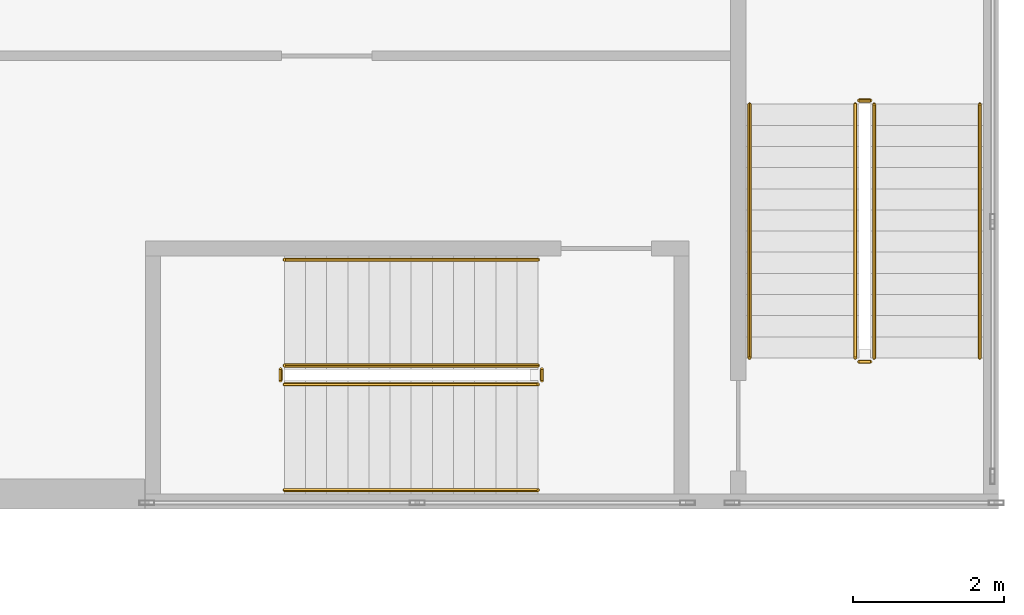
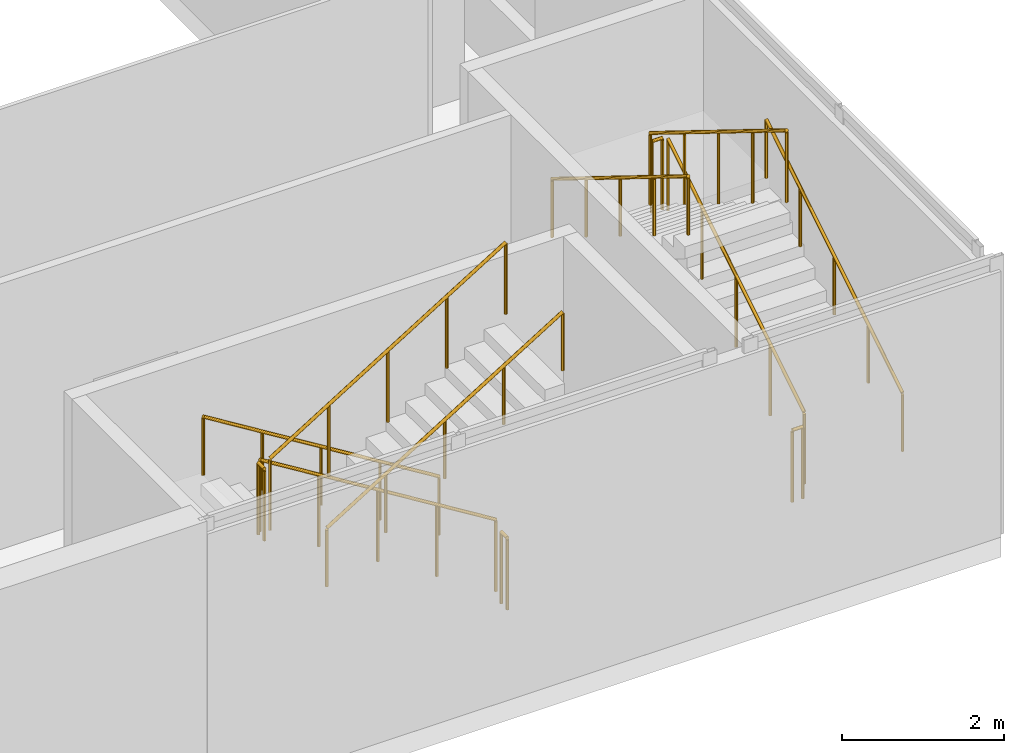
# One storey, part 20 of 21: 12 railings.
"""IFC4 building model written with IfcOpenShell, lengths in metres."""

import ifcopenshell
import ifcopenshell.guid

model = None  # the IFC model being written
_history = None  # IfcOwnerHistory: only IFC2X3 demands one
_inside = {}  # id of a spatial element -> (the spatial element, [elements in it])
_under = {}  # id of a project, library or spatial element -> (it, [spatial elements below it])
_declared = {}  # id of a project -> (the project, [libraries it declares])
_typed = {}  # id of a type object -> (the type object, [elements of that type])
_made_of = {}  # id of a material, layer set ... -> (it, [elements and type objects made of it])


def new_model(schema):
    """Start an empty IFC model of exactly this schema.

    Asked for "IFC4X3", IfcOpenShell would pick the latest addendum, in which some entities
    have other attributes; the version numbers below select the first issue.
    IFC2X3 requires an IfcOwnerHistory on every rooted entity: one is made here for all.
    """
    global model, _history
    if schema == "IFC4X3":
        model = ifcopenshell.file(schema_version=(4, 3, 0, 0))
    else:
        model = ifcopenshell.file(schema=schema)
    _inside.clear()
    _under.clear()
    _declared.clear()
    _typed.clear()
    _made_of.clear()
    _history = None
    if model.schema == "IFC2X3":
        org = make("IfcOrganization", Name="unknown")
        user = make(
            "IfcPersonAndOrganization",
            ThePerson=make("IfcPerson", FamilyName="unknown"),
            TheOrganization=org,
        )
        app = make(
            "IfcApplication",
            ApplicationDeveloper=org,
            Version="unknown",
            ApplicationFullName="unknown",
            ApplicationIdentifier="unknown",
        )
        _history = make(
            "IfcOwnerHistory",
            OwningUser=user,
            OwningApplication=app,
            ChangeAction="ADDED",
            CreationDate=0,
        )
    return model


def make(cls, **values):
    """One entity of the class cls with the attributes given. An attribute that is None is left unset."""
    return model.create_entity(
        cls, **{name: value for name, value in values.items() if value is not None}
    )


def rooted(cls, **values):
    """An entity with a GlobalId (a new one), such as an element, a storey or a relation."""
    return make(cls, GlobalId=ifcopenshell.guid.new(), OwnerHistory=_history, **values)


def si_unit(unit_type, name, prefix=None):
    """IfcSIUnit, for example si_unit("LENGTHUNIT", "METRE", prefix="MILLI")."""
    return make("IfcSIUnit", UnitType=unit_type, Prefix=prefix, Name=name)


def assignment(units):
    """IfcUnitAssignment: the units of a project."""
    return None if units is None else make("IfcUnitAssignment", Units=units)


def point(xyz):
    """IfcCartesianPoint."""
    return None if xyz is None else make("IfcCartesianPoint", Coordinates=xyz)


def direction(xyz):
    """IfcDirection."""
    return None if xyz is None else make("IfcDirection", DirectionRatios=xyz)


def frame(location, z_axis=None, x_axis=None):
    """IfcAxis2Placement3D, a coordinate frame: its origin and axes. An axis left out is left unset."""
    return make(
        "IfcAxis2Placement3D",
        Location=point(location),
        Axis=direction(z_axis),
        RefDirection=direction(x_axis),
    )


def frame_2d(location, x_axis=None):
    """IfcAxis2Placement2D, a coordinate frame in the plane: its origin and x axis."""
    return make(
        "IfcAxis2Placement2D", Location=point(location), RefDirection=direction(x_axis)
    )


def origin():
    """The frame at (0, 0, 0) with its axes left unset."""
    return frame((0.0, 0.0, 0.0))


def origin_2d():
    """The frame at (0, 0) in the plane with its x axis left unset."""
    return frame_2d((0.0, 0.0))


def place(relative_to, where):
    """IfcLocalPlacement: puts the frame where relative to a parent placement (None: the world)."""
    return make(
        "IfcLocalPlacement", PlacementRelTo=relative_to, RelativePlacement=where
    )


def context(
    kind, dimensions, precision=None, world=None, true_north=None, identifier=None
):
    """IfcGeometricRepresentationContext, for example the 3D "Model" context."""
    return make(
        "IfcGeometricRepresentationContext",
        ContextIdentifier=identifier,
        ContextType=kind,
        CoordinateSpaceDimension=dimensions,
        Precision=precision,
        WorldCoordinateSystem=world,
        TrueNorth=true_north,
    )


def subcontext(parent, identifier, kind, view, scale=None):
    """IfcGeometricRepresentationSubContext, for example "Body" below "Model"."""
    return make(
        "IfcGeometricRepresentationSubContext",
        ContextIdentifier=identifier,
        ContextType=kind,
        ParentContext=parent,
        TargetScale=scale,
        TargetView=view,
    )


def project(units=None, contexts=None):
    """IfcProject with its units and contexts."""
    return rooted(
        "IfcProject",
        Name="project",
        RepresentationContexts=contexts,
        UnitsInContext=assignment(units),
    )


def spatial(cls, under=None, at=None, **own):
    """A site, building, storey or space (cls), placed at a placement, below another one or the project."""
    s = rooted(cls, ObjectPlacement=at, **own)
    if under is not None:
        _under.setdefault(under.id(), (under, []))[1].append(s)
    return s


def profile(cls, at=None, kind="AREA", **sizes):
    """A parametric profile (cls). Its sizes go by their IFC names, for example OverallWidth=200.0."""
    return make(cls, ProfileType=kind, Position=at, **sizes)


def circle(**sizes):
    """IfcCircleProfileDef."""
    return profile("IfcCircleProfileDef", **sizes)


def extrude(swept, where, along, depth):
    """IfcExtrudedAreaSolid: the profile swept, set in the frame where, extruded along a direction by depth."""
    return make(
        "IfcExtrudedAreaSolid",
        SweptArea=swept,
        Position=where,
        ExtrudedDirection=direction(along),
        Depth=depth,
    )


def shape(context_of_items, identifier, shape_type, items):
    """IfcShapeRepresentation: the items that make up one representation, for example the "Body"."""
    return make(
        "IfcShapeRepresentation",
        ContextOfItems=context_of_items,
        RepresentationIdentifier=identifier,
        RepresentationType=shape_type,
        Items=items,
    )


def source(mapping_origin, context_of_items, identifier, shape_type, items):
    """IfcRepresentationMap: a shape defined once, which mapped items show again and again."""
    return make(
        "IfcRepresentationMap",
        MappingOrigin=mapping_origin,
        MappedRepresentation=shape(context_of_items, identifier, shape_type, items),
    )


def transform(
    local_origin,
    x_axis=None,
    y_axis=None,
    z_axis=None,
    scale=None,
    scale2=None,
    scale3=None,
    uniform=True,
):
    """IfcCartesianTransformationOperator3D, or its non-uniform kind. x_axis, y_axis, z_axis: its Axis1, 2, 3."""
    if uniform:
        return make(
            "IfcCartesianTransformationOperator3D",
            Axis1=direction(x_axis),
            Axis2=direction(y_axis),
            LocalOrigin=point(local_origin),
            Scale=scale,
            Axis3=direction(z_axis),
        )
    return make(
        "IfcCartesianTransformationOperator3DnonUniform",
        Axis1=direction(x_axis),
        Axis2=direction(y_axis),
        LocalOrigin=point(local_origin),
        Scale=scale,
        Axis3=direction(z_axis),
        Scale2=scale2,
        Scale3=scale3,
    )


def mapped(mapping_source, mapping_target):
    """IfcMappedItem: shows the shape of a source again, moved by a transform."""
    return make(
        "IfcMappedItem", MappingSource=mapping_source, MappingTarget=mapping_target
    )


def material(Name=None, Category=None):
    """IfcMaterial."""
    return make("IfcMaterial", Name=Name, Category=Category)


def made_of(thing, what):
    """Note that an element or type object is made of a material, layer set ...; save() writes the relation."""
    if what is not None:
        _made_of.setdefault(what.id(), (what, []))[1].append(thing)
    return thing


def type_object(cls, material=None, **own):
    """A type object (cls), such as IfcWallType, which elements share."""
    return made_of(rooted(cls, **own), material)


def element(
    cls,
    number,
    at=None,
    inside=None,
    cuts=None,
    type_object=None,
    material=None,
    context=None,
    identifier="Body",
    shape_type=None,
    held_by="IfcProductDefinitionShape",
    body=None,
    shapes=None,
    **own,
):
    """One element of the class cls, such as IfcWall. Its Tag is "e" and its number.

    at: its placement. inside: the storey or other place that contains it. cuts: it is an
    opening in that element (IfcRelVoidsElement). A single representation is given by context,
    identifier, shape_type and body (its items); several are given by shapes. held_by: the class
    of the entity that holds the representations. save() writes the other relations.
    """
    e = rooted(cls, Tag="e%d" % number, ObjectPlacement=at, **own)
    if body is not None:
        shapes = [shape(context, identifier, shape_type, body)]
    if shapes is not None:
        e.Representation = make(held_by, Representations=shapes)
    if inside is not None:
        _inside.setdefault(inside.id(), (inside, []))[1].append(e)
    if cuts is not None:
        rooted(
            "IfcRelVoidsElement", RelatingBuildingElement=cuts, RelatedOpeningElement=e
        )
    if type_object is not None:
        _typed.setdefault(type_object.id(), (type_object, []))[1].append(e)
    return made_of(e, material)


def aggregate(whole, parts):
    """IfcRelAggregates: a whole, such as a stair, and the parts it consists of."""
    return rooted("IfcRelAggregates", RelatingObject=whole, RelatedObjects=parts)


def save(model, path):
    """Write the relations noted so far, then the file.

    IfcRelAggregates (storeys below a building ...), IfcRelContainedInSpatialStructure (elements
    in a storey), IfcRelDefinesByType, IfcRelAssociatesMaterial and IfcRelDeclares: one each for
    every whole, place, type object, material and project.
    """
    for whole, parts in _under.values():
        aggregate(whole, parts)
    for where, things in _inside.values():
        rooted(
            "IfcRelContainedInSpatialStructure",
            RelatedElements=things,
            RelatingStructure=where,
        )
    for kind, things in _typed.values():
        rooted("IfcRelDefinesByType", RelatedObjects=things, RelatingType=kind)
    for what, things in _made_of.values():
        rooted("IfcRelAssociatesMaterial", RelatedObjects=things, RelatingMaterial=what)
    for by, libraries in _declared.values():
        rooted("IfcRelDeclares", RelatingContext=by, RelatedDefinitions=libraries)
    model.write(path)


model = new_model("IFC4")

# Units and contexts
model_context = context("Model", 3, precision=1e-05, world=origin(), true_north=direction((0.0, 1.0)))
body_context = subcontext(model_context, "Body", "Model", "MODEL_VIEW")
ifc_project = project(units=[si_unit("LENGTHUNIT", "METRE"), si_unit("AREAUNIT", "SQUARE_METRE"), si_unit("VOLUMEUNIT", "CUBIC_METRE"), si_unit("PLANEANGLEUNIT", "RADIAN"), si_unit("MASSUNIT", "GRAM", prefix="KILO")], contexts=[model_context])

# Site, building, storey
site_placement = place(None, origin())
site = spatial("IfcSite", under=ifc_project, at=site_placement, CompositionType="ELEMENT")
building_placement = place(site_placement, origin())
building = spatial("IfcBuilding", under=site, at=building_placement, Name="Khomas Fold Tower", CompositionType="ELEMENT")
storey_placement = place(building_placement, frame((0.0, 0.0, 28.5)))
storey = spatial("IfcBuildingStorey", under=building, at=storey_placement, Name="L05", CompositionType="ELEMENT", Elevation=28.5)

# Railings
ifc_material_1 = material(Name="Steel balustrade", Category="steel")
railing_type_1 = type_object("IfcRailingType", Name="Stair guard", PredefinedType="GUARDRAIL", material=ifc_material_1)
shared_shape_1 = source(origin(), body_context, "Body", "SweptSolid", [
    extrude(circle(Radius=0.02392578125, at=origin_2d()), frame((0.0, 0.0, 1.076171875), z_axis=(0.850606129759, 0.0, 0.525803396734), x_axis=(0.0, 1.0, 0.0)), (0.0, 0.0, 1.0), 3.949951171875),
    extrude(circle(Radius=0.02099609375, at=origin_2d()), origin(), (0.0, 0.0, 1.0), 1.052001953125),
    extrude(circle(Radius=0.02099609375, at=origin_2d()), frame((0.83984375, 0.0, 0.519287109375)), (0.0, 0.0, 1.0), 1.052001953125),
    extrude(circle(Radius=0.02099609375, at=origin_2d()), frame((1.679931640625, 0.0, 1.03857421875)), (0.0, 0.0, 1.0), 1.052001953125),
    extrude(circle(Radius=0.02099609375, at=origin_2d()), frame((2.52001953125, 0.0, 1.5576171875)), (0.0, 0.0, 1.0), 1.052001953125),
    extrude(circle(Radius=0.02099609375, at=origin_2d()), frame((3.35986328125, 0.0, 2.076904296875)), (0.0, 0.0, 1.0), 1.052001953125),
])
railing_1_placement = place(storey_placement, frame((71.5400390625, 1.64990234375, 2.423095703125)))
element("IfcRailing", 1, at=railing_1_placement, inside=storey, type_object=railing_type_1, Name="L05 PS3 stair guard 3", PredefinedType="GUARDRAIL", context=body_context, shape_type="MappedRepresentation", body=[
    mapped(shared_shape_1, transform((0.0, 0.0, 0.0))),
])
shared_shape_2 = source(origin(), body_context, "Body", "SweptSolid", [
    extrude(circle(Radius=0.02392578125, at=origin_2d()), frame((0.0, 0.0, 1.076171875), z_axis=(-0.850606129759, 0.0, 0.525803396734), x_axis=(0.0, -1.0, 0.0)), (0.0, 0.0, 1.0), 3.949951171875),
    extrude(circle(Radius=0.02099609375, at=origin_2d()), origin(), (0.0, 0.0, 1.0), 1.052001953125),
    extrude(circle(Radius=0.02099609375, at=origin_2d()), frame((-0.83984375, 0.0, 0.519287109375)), (0.0, 0.0, 1.0), 1.052001953125),
    extrude(circle(Radius=0.02099609375, at=origin_2d()), frame((-1.679931640625, 0.0, 1.03857421875)), (0.0, 0.0, 1.0), 1.052001953125),
    extrude(circle(Radius=0.02099609375, at=origin_2d()), frame((-2.52001953125, 0.0, 1.5576171875)), (0.0, 0.0, 1.0), 1.052001953125),
    extrude(circle(Radius=0.02099609375, at=origin_2d()), frame((-3.35986328125, 0.0, 2.076904296875)), (0.0, 0.0, 1.0), 1.052001953125),
])
railing_2_placement = place(storey_placement, frame((74.89990234375, 1.89990234375, 0.173095703125)))
element("IfcRailing", 2, at=railing_2_placement, inside=storey, type_object=railing_type_1, Name="L05 PS3 stair guard 1", PredefinedType="GUARDRAIL", context=body_context, shape_type="MappedRepresentation", body=[
    mapped(shared_shape_2, transform((0.0, 0.0, 0.0))),
])
ifc_material_2 = material(Name="Steel handrail", Category="steel")
railing_type_2 = type_object("IfcRailingType", Name="Stair handrail", PredefinedType="HANDRAIL", material=ifc_material_2)
shared_shape_3 = source(origin(), body_context, "Body", "SweptSolid", [
    extrude(circle(Radius=0.02392578125, at=origin_2d()), frame((0.0, 0.0, 0.8759765625), z_axis=(0.850606129759, 0.0, 0.525803396734), x_axis=(0.0, 1.0, 0.0)), (0.0, 0.0, 1.0), 3.949951171875),
    extrude(circle(Radius=0.02099609375, at=origin_2d()), origin(), (0.0, 0.0, 1.0), 0.851806640625),
    extrude(circle(Radius=0.02099609375, at=origin_2d()), frame((0.83984375, 0.0, 0.519287109375)), (0.0, 0.0, 1.0), 0.851806640625),
    extrude(circle(Radius=0.02099609375, at=origin_2d()), frame((1.679931640625, 0.0, 1.03857421875)), (0.0, 0.0, 1.0), 0.851806640625),
    extrude(circle(Radius=0.02099609375, at=origin_2d()), frame((2.52001953125, 0.0, 1.5576171875)), (0.0, 0.0, 1.0), 0.851806640625),
    extrude(circle(Radius=0.02099609375, at=origin_2d()), frame((3.35986328125, 0.0, 2.076904296875)), (0.0, 0.0, 1.0), 0.851806640625),
])
railing_3_placement = place(storey_placement, frame((71.5400390625, 0.25, 2.423095703125)))
element("IfcRailing", 3, at=railing_3_placement, inside=storey, type_object=railing_type_2, Name="L05 PS3 stair handrail 2", PredefinedType="HANDRAIL", context=body_context, shape_type="MappedRepresentation", body=[
    mapped(shared_shape_3, transform((0.0, 0.0, 0.0))),
])
shared_shape_4 = source(origin(), body_context, "Body", "SweptSolid", [
    extrude(circle(Radius=0.02392578125, at=origin_2d()), frame((0.0, 0.0, 0.8759765625), z_axis=(-0.850606129759, 0.0, 0.525803396734), x_axis=(0.0, -1.0, 0.0)), (0.0, 0.0, 1.0), 3.949951171875),
    extrude(circle(Radius=0.02099609375, at=origin_2d()), origin(), (0.0, 0.0, 1.0), 0.851806640625),
    extrude(circle(Radius=0.02099609375, at=origin_2d()), frame((-0.83984375, 0.0, 0.519287109375)), (0.0, 0.0, 1.0), 0.851806640625),
    extrude(circle(Radius=0.02099609375, at=origin_2d()), frame((-1.679931640625, 0.0, 1.03857421875)), (0.0, 0.0, 1.0), 0.851806640625),
    extrude(circle(Radius=0.02099609375, at=origin_2d()), frame((-2.52001953125, 0.0, 1.5576171875)), (0.0, 0.0, 1.0), 0.851806640625),
    extrude(circle(Radius=0.02099609375, at=origin_2d()), frame((-3.35986328125, 0.0, 2.076904296875)), (0.0, 0.0, 1.0), 0.851806640625),
])
railing_4_placement = place(storey_placement, frame((74.89990234375, 3.300048828125, 0.173095703125)))
element("IfcRailing", 4, at=railing_4_placement, inside=storey, type_object=railing_type_2, Name="L05 PS3 stair handrail 1", PredefinedType="HANDRAIL", context=body_context, shape_type="MappedRepresentation", body=[
    mapped(shared_shape_4, transform((0.0, 0.0, 0.0))),
])
shared_shape_5 = source(origin(), body_context, "Body", "SweptSolid", [
    extrude(circle(Radius=0.02392578125, at=origin_2d()), frame((0.0, 0.0, 1.076171875), z_axis=(-1.0, 0.0, 0.0), x_axis=(0.0, -1.0, 0.0)), (0.0, 0.0, 1.0), 0.150146484375),
    extrude(circle(Radius=0.02099609375, at=origin_2d()), origin(), (0.0, 0.0, 1.0), 1.052001953125),
    extrude(circle(Radius=0.02099609375, at=origin_2d()), frame((-0.150146484375, 0.0, 0.0)), (0.0, 0.0, 1.0), 1.052001953125),
])
for number, where, name in (
    (5, (79.300048828125, 5.409912109375, 2.25), "L05 PS4 stair guard 2"),
    (6, (79.300048828125, 1.949951171875, 0.0), "L05 PS4 stair guard 4"),
):
    element("IfcRailing", number, at=place(storey_placement, frame(where)), inside=storey, type_object=railing_type_1, Name=name, PredefinedType="GUARDRAIL", context=body_context, shape_type="MappedRepresentation", body=[
        mapped(shared_shape_5, transform((0.0, 0.0, 0.0))),
    ])
shared_shape_6 = source(origin(), body_context, "Body", "SweptSolid", [
    extrude(circle(Radius=0.02392578125, at=origin_2d()), frame((0.0, 0.0, 1.076171875), z_axis=(0.0, -1.0, 0.0), x_axis=(1.0, 0.0, 0.0)), (0.0, 0.0, 1.0), 0.150146484375),
    extrude(circle(Radius=0.02099609375, at=origin_2d()), origin(), (0.0, 0.0, 1.0), 1.052001953125),
    extrude(circle(Radius=0.02099609375, at=origin_2d()), frame((0.0, -0.150146484375, 0.0)), (0.0, 0.0, 1.0), 1.052001953125),
])
for number, where, name in (
    (7, (71.489990234375, 1.85009765625, 2.25), "L05 PS3 stair guard 2"),
    (8, (74.949951171875, 1.85009765625, 0.0), "L05 PS3 stair guard 4"),
):
    element("IfcRailing", number, at=place(storey_placement, frame(where)), inside=storey, type_object=railing_type_1, Name=name, PredefinedType="GUARDRAIL", context=body_context, shape_type="MappedRepresentation", body=[
        mapped(shared_shape_6, transform((0.0, 0.0, 0.0))),
    ])
shared_shape_7 = source(origin(), body_context, "Body", "SweptSolid", [
    extrude(circle(Radius=0.02392578125, at=origin_2d()), frame((0.0, 0.0, 1.076171875), z_axis=(0.0, 0.850623216509, 0.525775754039), x_axis=(-1.0, 0.0, 0.0)), (0.0, 0.0, 1.0), 3.9501953125),
    extrude(circle(Radius=0.02099609375, at=origin_2d()), origin(), (0.0, 0.0, 1.0), 1.052001953125),
    extrude(circle(Radius=0.02099609375, at=origin_2d()), frame((0.0, 0.840087890625, 0.519287109375)), (0.0, 0.0, 1.0), 1.052001953125),
    extrude(circle(Radius=0.02099609375, at=origin_2d()), frame((0.0, 1.68017578125, 1.03857421875)), (0.0, 0.0, 1.0), 1.052001953125),
    extrude(circle(Radius=0.02099609375, at=origin_2d()), frame((0.0, 2.52001953125, 1.5576171875)), (0.0, 0.0, 1.0), 1.052001953125),
    extrude(circle(Radius=0.02099609375, at=origin_2d()), frame((0.0, 3.360107421875, 2.076904296875)), (0.0, 0.0, 1.0), 1.052001953125),
])
railing_5_placement = place(storey_placement, frame((79.35009765625, 2.0, 0.173095703125)))
element("IfcRailing", 9, at=railing_5_placement, inside=storey, type_object=railing_type_1, Name="L05 PS4 stair guard 1", PredefinedType="GUARDRAIL", context=body_context, shape_type="MappedRepresentation", body=[
    mapped(shared_shape_7, transform((0.0, 0.0, 0.0))),
])
shared_shape_8 = source(origin(), body_context, "Body", "SweptSolid", [
    extrude(circle(Radius=0.02392578125, at=origin_2d()), frame((0.0, 0.0, 1.076171875), z_axis=(0.0, -0.850623216509, 0.525775754039), x_axis=(1.0, 0.0, 0.0)), (0.0, 0.0, 1.0), 3.9501953125),
    extrude(circle(Radius=0.02099609375, at=origin_2d()), origin(), (0.0, 0.0, 1.0), 1.052001953125),
    extrude(circle(Radius=0.02099609375, at=origin_2d()), frame((0.0, -0.840087890625, 0.519287109375)), (0.0, 0.0, 1.0), 1.052001953125),
    extrude(circle(Radius=0.02099609375, at=origin_2d()), frame((0.0, -1.68017578125, 1.03857421875)), (0.0, 0.0, 1.0), 1.052001953125),
    extrude(circle(Radius=0.02099609375, at=origin_2d()), frame((0.0, -2.52001953125, 1.5576171875)), (0.0, 0.0, 1.0), 1.052001953125),
    extrude(circle(Radius=0.02099609375, at=origin_2d()), frame((0.0, -3.360107421875, 2.076904296875)), (0.0, 0.0, 1.0), 1.052001953125),
])
railing_6_placement = place(storey_placement, frame((79.10009765625, 5.360107421875, 2.423095703125)))
element("IfcRailing", 10, at=railing_6_placement, inside=storey, type_object=railing_type_1, Name="L05 PS4 stair guard 3", PredefinedType="GUARDRAIL", context=body_context, shape_type="MappedRepresentation", body=[
    mapped(shared_shape_8, transform((0.0, 0.0, 0.0))),
])
shared_shape_9 = source(origin(), body_context, "Body", "SweptSolid", [
    extrude(circle(Radius=0.02392578125, at=origin_2d()), frame((0.0, 0.0, 0.8759765625), z_axis=(0.0, 0.850623216509, 0.525775754039), x_axis=(-1.0, 0.0, 0.0)), (0.0, 0.0, 1.0), 3.9501953125),
    extrude(circle(Radius=0.02099609375, at=origin_2d()), origin(), (0.0, 0.0, 1.0), 0.851806640625),
    extrude(circle(Radius=0.02099609375, at=origin_2d()), frame((0.0, 0.840087890625, 0.519287109375)), (0.0, 0.0, 1.0), 0.851806640625),
    extrude(circle(Radius=0.02099609375, at=origin_2d()), frame((0.0, 1.68017578125, 1.03857421875)), (0.0, 0.0, 1.0), 0.851806640625),
    extrude(circle(Radius=0.02099609375, at=origin_2d()), frame((0.0, 2.52001953125, 1.5576171875)), (0.0, 0.0, 1.0), 0.851806640625),
    extrude(circle(Radius=0.02099609375, at=origin_2d()), frame((0.0, 3.360107421875, 2.076904296875)), (0.0, 0.0, 1.0), 0.851806640625),
])
railing_7_placement = place(storey_placement, frame((80.75, 2.0, 0.173095703125)))
element("IfcRailing", 11, at=railing_7_placement, inside=storey, type_object=railing_type_2, Name="L05 PS4 stair handrail 1", PredefinedType="HANDRAIL", context=body_context, shape_type="MappedRepresentation", body=[
    mapped(shared_shape_9, transform((0.0, 0.0, 0.0))),
])
shared_shape_10 = source(origin(), body_context, "Body", "SweptSolid", [
    extrude(circle(Radius=0.02392578125, at=origin_2d()), frame((0.0, 0.0, 0.8759765625), z_axis=(0.0, -0.850623216509, 0.525775754039), x_axis=(1.0, 0.0, 0.0)), (0.0, 0.0, 1.0), 3.9501953125),
    extrude(circle(Radius=0.02099609375, at=origin_2d()), origin(), (0.0, 0.0, 1.0), 0.851806640625),
    extrude(circle(Radius=0.02099609375, at=origin_2d()), frame((0.0, -0.840087890625, 0.519287109375)), (0.0, 0.0, 1.0), 0.851806640625),
    extrude(circle(Radius=0.02099609375, at=origin_2d()), frame((0.0, -1.68017578125, 1.03857421875)), (0.0, 0.0, 1.0), 0.851806640625),
    extrude(circle(Radius=0.02099609375, at=origin_2d()), frame((0.0, -2.52001953125, 1.5576171875)), (0.0, 0.0, 1.0), 0.851806640625),
    extrude(circle(Radius=0.02099609375, at=origin_2d()), frame((0.0, -3.360107421875, 2.076904296875)), (0.0, 0.0, 1.0), 0.851806640625),
])
railing_8_placement = place(storey_placement, frame((77.699951171875, 5.360107421875, 2.423095703125)))
element("IfcRailing", 12, at=railing_8_placement, inside=storey, type_object=railing_type_2, Name="L05 PS4 stair handrail 2", PredefinedType="HANDRAIL", context=body_context, shape_type="MappedRepresentation", body=[
    mapped(shared_shape_10, transform((0.0, 0.0, 0.0))),
])

save(model, "model.ifc")
